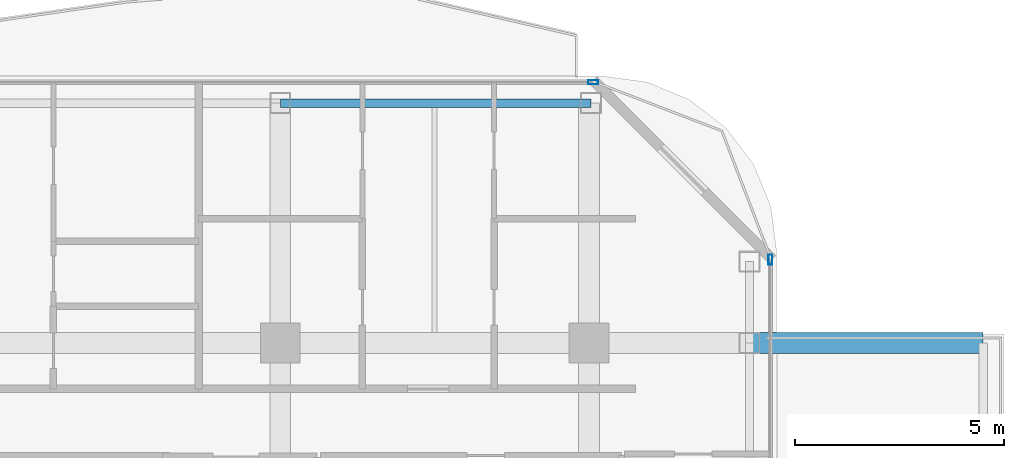
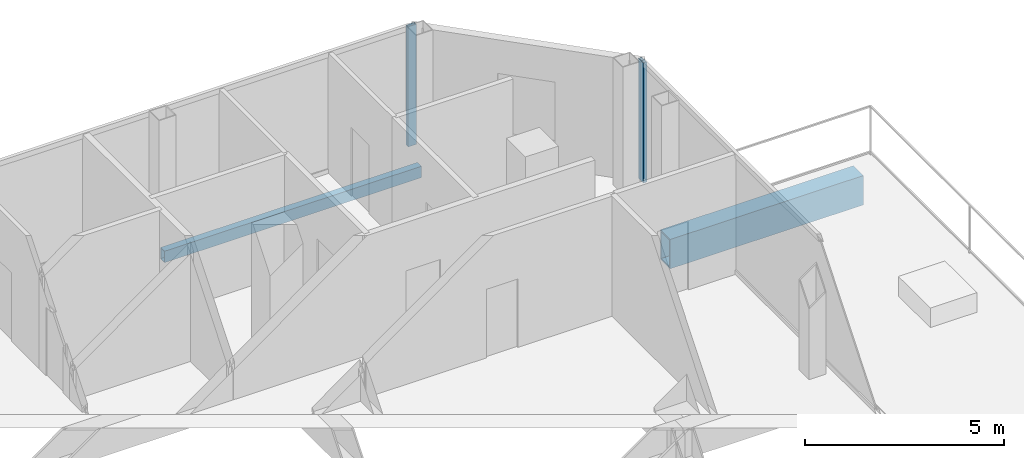
# One storey, part 15 of 24: 2 beams, 2 members, 2 elements without a shape of their own.
"""IFC4 building model written with IfcOpenShell, lengths in metres."""

from ifc_helpers import new_model, si_unit, direction, frame, origin, origin_2d, place, context, subcontext, project, spatial, hollow_rectangle, extrude, material, layer, layer_set, material_profile, profile_set, type_object, element, aggregate, save


model = new_model("IFC4")

# Units and contexts
model_context = context("Model", 3, precision=1e-05, world=origin(), true_north=direction((0.0, 1.0)))
body_context = subcontext(model_context, "Body", "Model", "MODEL_VIEW")
ifc_project = project(units=[si_unit("LENGTHUNIT", "METRE"), si_unit("AREAUNIT", "SQUARE_METRE"), si_unit("VOLUMEUNIT", "CUBIC_METRE"), si_unit("PLANEANGLEUNIT", "RADIAN"), si_unit("MASSUNIT", "GRAM", prefix="KILO")], contexts=[model_context])

# Site, building, storey
site_placement = place(None, origin())
site = spatial("IfcSite", under=ifc_project, at=site_placement, CompositionType="ELEMENT")
building_placement = place(site_placement, origin())
building = spatial("IfcBuilding", under=site, at=building_placement, Name="Khorvyn Point Tower", CompositionType="ELEMENT")
storey_placement = place(building_placement, frame((0.0, 0.0, 285.89990234375)))
storey = spatial("IfcBuildingStorey", under=building, at=storey_placement, Name="L70", CompositionType="ELEMENT", Elevation=285.89990234375)

# Curtain wall, member
ifc_material_1 = material(Name="Anodised aluminium 6063-T6 and laminated Low-E glass", Category="aluminium")
ifc_layer = layer(ifc_material_1, 0.18994140625)
ifc_layer_set = layer_set([ifc_layer], Name="Stick-Built High-Wind Curtain Wall CW-SYS-04")
curtain_wall_type = type_object("IfcCurtainWallType", Name="Stick-Built High-Wind Curtain Wall CW-SYS-04", PredefinedType="NOTDEFINED", material=ifc_layer_set)
curtain_wall_1_placement = place(storey_placement, origin())
curtain_wall_1 = element("IfcCurtainWall", 1, at=curtain_wall_1_placement, inside=storey, type_object=curtain_wall_type, Name="Curtain Wall", PredefinedType="NOTDEFINED")
ifc_material_2 = material(Name="Anodised aluminium 6063-T6", Category="aluminium")
ifc_material_profile_1 = material_profile(ifc_material_2, hollow_rectangle(XDim=0.10009765625, YDim=0.239990234375, WallThickness=0.0048828125, at=origin_2d()))
ifc_profile_set_1 = profile_set([ifc_material_profile_1], Name="Anodised aluminium 6063-T6 ALU-MUL-100x240")
member_type = type_object("IfcMemberType", Name="Anodised Aluminium 6063-T6 Mullion ALU-MUL-100x240", PredefinedType="MULLION", material=ifc_profile_set_1)
member_1_placement = place(storey_placement, frame((14.89990234375, 21.050048828125, 0.0), z_axis=(0.0, 0.0, 1.0), x_axis=(0.0, 1.0, 0.0)))
member_1 = element("IfcMember", 2, at=member_1_placement, type_object=member_type, Name="Transom", PredefinedType="MULLION", context=body_context, shape_type="SweptSolid", body=[
    extrude(hollow_rectangle(XDim=0.10009765625, YDim=0.239990234375, WallThickness=0.0048828125, at=origin_2d()), origin(), (0.0, 0.0, 1.0), 3.68017578125),
])
aggregate(curtain_wall_1, [member_1])

curtain_wall_2_placement = place(storey_placement, origin())
curtain_wall_2 = element("IfcCurtainWall", 3, at=curtain_wall_2_placement, inside=storey, type_object=curtain_wall_type, Name="Curtain Wall", PredefinedType="NOTDEFINED")
member_2_placement = place(storey_placement, frame((19.14990234375, 16.800048828125, 0.0), z_axis=(0.0, 0.0, 1.0), x_axis=(1.0, 0.0, 0.0)))
member_2 = element("IfcMember", 4, at=member_2_placement, type_object=member_type, Name="Transom", PredefinedType="MULLION", context=body_context, shape_type="SweptSolid", body=[
    extrude(hollow_rectangle(XDim=0.10009765625, YDim=0.239990234375, WallThickness=0.0048828125, at=origin_2d()), origin(), (0.0, 0.0, 1.0), 3.68017578125),
])
aggregate(curtain_wall_2, [member_2])

# Beams
ifc_material_3 = material(Name="Steel S355", Category="steel")
ifc_material_profile_2 = material_profile(ifc_material_3, hollow_rectangle(XDim=0.199951171875, YDim=0.35009765625, WallThickness=0.013916015625, at=origin_2d()))
ifc_profile_set_2 = profile_set([ifc_material_profile_2], Name="Steel S355 RHS350x200x14")
beam_type_1 = type_object("IfcBeamType", Name="Steel S355 Spandrel RHS350x200x14", PredefinedType="SPANDREL", material=ifc_profile_set_2)
beam_1_placement = place(storey_placement, frame((7.39990234375, 20.550048828125, -0.454833984375), z_axis=(1.0, 0.0, 0.0), x_axis=(0.0, 1.0, 0.0)))
element("IfcBeam", 5, at=beam_1_placement, inside=storey, type_object=beam_type_1, Name="Beam", PredefinedType="SPANDREL", context=body_context, shape_type="SweptSolid", body=[
    extrude(hollow_rectangle(XDim=0.199951171875, YDim=0.35009765625, WallThickness=0.013916015625, at=origin_2d()), origin(), (0.0, 0.0, 1.0), 7.4501953125),
])
ifc_material_4 = material(Name="Steel S450", Category="steel")
ifc_material_profile_3 = material_profile(ifc_material_4, hollow_rectangle(XDim=0.5, YDim=0.89990234375, WallThickness=0.0400390625, at=origin_2d()))
ifc_profile_set_3 = profile_set([ifc_material_profile_3], Name="Steel S450 BOX900x500x40")
beam_type_2 = type_object("IfcBeamType", Name="Steel S450 Beam BOX900x500x40", PredefinedType="BEAM", material=ifc_profile_set_3)
beam_2_placement = place(storey_placement, frame((18.64990234375, 14.800048828125, -0.72998046875), z_axis=(1.0, 0.0, 0.0), x_axis=(0.0, 1.0, 0.0)))
element("IfcBeam", 6, at=beam_2_placement, inside=storey, type_object=beam_type_2, Name="L70 Radial Transfer Girder", PredefinedType="BEAM", context=body_context, shape_type="SweptSolid", body=[
    extrude(hollow_rectangle(XDim=0.5, YDim=0.89990234375, WallThickness=0.0400390625, at=origin_2d()), origin(), (0.0, 0.0, 1.0), 5.60009765625),
])

save(model, "model.ifc")
